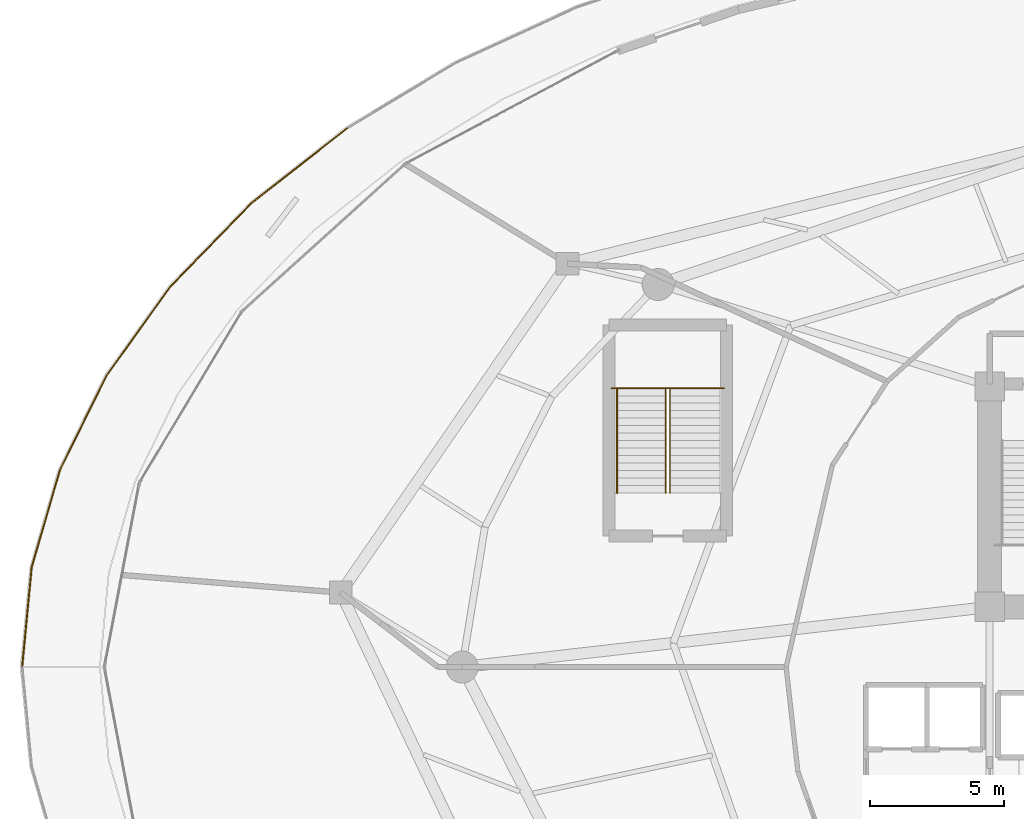
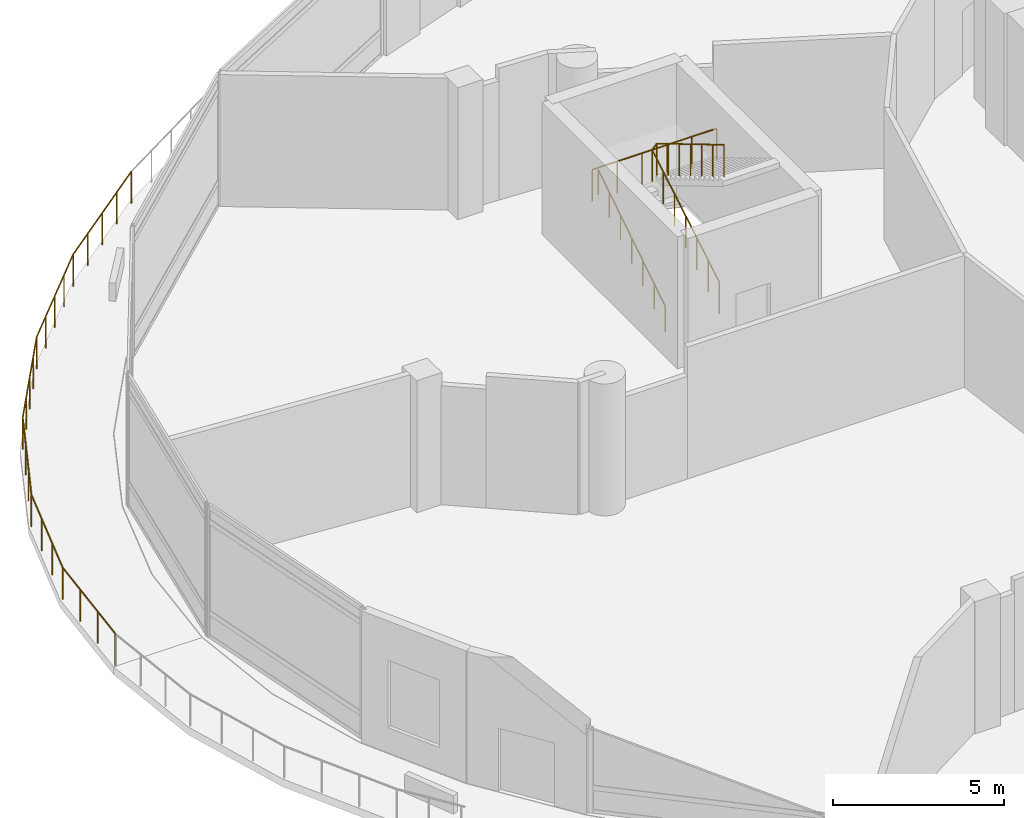
# One storey, part 33 of 37: 4 railings.
"""IFC4 building model written with IfcOpenShell, lengths in metres."""

from ifc_helpers import new_model, si_unit, direction, frame, origin, place, context, subcontext, project, spatial, polyline, outline, extrude, material, type_object, element, save


model = new_model("IFC4")

# Units and contexts
model_context = context("Model", 3, precision=1e-05, world=origin(), true_north=direction((0.0, 1.0)))
body_context = subcontext(model_context, "Body", "Model", "MODEL_VIEW")
ifc_project = project(units=[si_unit("LENGTHUNIT", "METRE"), si_unit("AREAUNIT", "SQUARE_METRE"), si_unit("VOLUMEUNIT", "CUBIC_METRE"), si_unit("PLANEANGLEUNIT", "RADIAN"), si_unit("MASSUNIT", "GRAM", prefix="KILO")], contexts=[model_context])

# Site, building, storey
site_placement = place(None, origin())
site = spatial("IfcSite", under=ifc_project, at=site_placement, CompositionType="ELEMENT")
building_placement = place(site_placement, origin())
building = spatial("IfcBuilding", under=site, at=building_placement, Name="Nuhasar Tower", CompositionType="ELEMENT")
storey_placement = place(building_placement, frame((0.0, 0.0, 6.0)))
storey = spatial("IfcBuildingStorey", under=building, at=storey_placement, Name="L01", CompositionType="ELEMENT", Elevation=6.0)

# Railings
ifc_material_1 = material(Name="Steel S355", Category="steel")
railing_type_1 = type_object("IfcRailingType", Name="RLG-STAIR-GUARD-1150", PredefinedType="GUARDRAIL", material=ifc_material_1)
railing_1_placement = place(storey_placement, frame((19.550048828125, 37.235107421875, 2.5)))
element("IfcRailing", 1, at=railing_1_placement, inside=storey, type_object=railing_type_1, Name="L01 Stair ST-04 Guardrail LND", PredefinedType="GUARDRAIL", context=body_context, shape_type="SweptSolid", body=[
    extrude(outline(polyline([(0.024169921875, 0.0), (0.01708984375, 0.01708984375), (0.0, 0.024169921875), (-0.01708984375, 0.01708984375), (-0.024169921875, 0.0), (-0.01708984375, -0.01708984375), (0.0, -0.024169921875), (0.01708984375, -0.01708984375), (0.024169921875, 0.0)])), frame((0.0, 0.0, 1.1259765625), z_axis=(1.0, 0.0, 0.0), x_axis=(0.0, 1.0, 0.0)), (0.0, 0.0, 1.0), 4.199951171875),
    extrude(outline(polyline([(0.02099609375, 0.0), (0.014892578125, 0.014892578125), (0.0, 0.02099609375), (-0.014892578125, 0.014892578125), (-0.02099609375, 0.0), (-0.014892578125, -0.014892578125), (0.0, -0.02099609375), (0.014892578125, -0.014892578125), (0.02099609375, 0.0)])), origin(), (0.0, 0.0, 1.0), 1.101806640625),
    extrude(outline(polyline([(0.02099609375, 0.0), (0.014892578125, 0.014892578125), (0.0, 0.02099609375), (-0.014892578125, 0.014892578125), (-0.02099609375, 0.0), (-0.014892578125, -0.014892578125), (0.0, -0.02099609375), (0.014892578125, -0.014892578125), (0.02099609375, 0.0)])), frame((0.840087890625, 0.0, 0.0)), (0.0, 0.0, 1.0), 1.101806640625),
    extrude(outline(polyline([(0.02099609375, 0.0), (0.014892578125, 0.014892578125), (0.0, 0.02099609375), (-0.014892578125, 0.014892578125), (-0.02099609375, 0.0), (-0.014892578125, -0.014892578125), (0.0, -0.02099609375), (0.014892578125, -0.014892578125), (0.02099609375, 0.0)])), frame((1.679931640625, 0.0, 0.0)), (0.0, 0.0, 1.0), 1.101806640625),
    extrude(outline(polyline([(0.02099609375, 0.0), (0.014892578125, 0.014892578125), (0.0, 0.02099609375), (-0.014892578125, 0.014892578125), (-0.02099609375, 0.0), (-0.014892578125, -0.014892578125), (0.0, -0.02099609375), (0.014892578125, -0.014892578125), (0.02099609375, 0.0)])), frame((2.52001953125, 0.0, 0.0)), (0.0, 0.0, 1.0), 1.101806640625),
    extrude(outline(polyline([(0.02099609375, 0.0), (0.014892578125, 0.014892578125), (0.0, 0.02099609375), (-0.014892578125, 0.014892578125), (-0.02099609375, 0.0), (-0.014892578125, -0.014892578125), (0.0, -0.02099609375), (0.014892578125, -0.014892578125), (0.02099609375, 0.0)])), frame((3.35986328125, 0.0, 0.0)), (0.0, 0.0, 1.0), 1.101806640625),
    extrude(outline(polyline([(0.02099609375, 0.0), (0.014892578125, 0.014892578125), (0.0, 0.02099609375), (-0.014892578125, 0.014892578125), (-0.02099609375, 0.0), (-0.014892578125, -0.014892578125), (0.0, -0.02099609375), (0.014892578125, -0.014892578125), (0.02099609375, 0.0)])), frame((4.199951171875, 0.0, 0.0)), (0.0, 0.0, 1.0), 1.101806640625),
])
railing_2_placement = place(storey_placement, frame((21.570068359375, 33.31494140625, 0.1669921875)))
element("IfcRailing", 2, at=railing_2_placement, inside=storey, type_object=railing_type_1, Name="L01 Stair ST-04 Guardrail SLT", PredefinedType="GUARDRAIL", context=body_context, shape_type="SweptSolid", body=[
    extrude(outline(polyline([(0.024169921875, 0.0), (0.01708984375, 0.01708984375), (0.0, 0.024169921875), (-0.01708984375, 0.01708984375), (-0.024169921875, 0.0), (-0.01708984375, -0.01708984375), (0.0, -0.024169921875), (0.01708984375, -0.01708984375), (0.024169921875, 0.0)])), frame((0.0, 0.0, 1.1259765625), z_axis=(0.0, 0.859333764799, 0.511415174467), x_axis=(-1.0, 0.0, 0.0)), (0.0, 0.0, 1.0), 4.561767578125),
    extrude(outline(polyline([(0.024169921875, 0.0), (0.01708984375, 0.01708984375), (0.0, 0.024169921875), (-0.01708984375, 0.01708984375), (-0.024169921875, 0.0), (-0.01708984375, -0.01708984375), (0.0, -0.024169921875), (0.01708984375, -0.01708984375), (0.024169921875, 0.0)])), frame((0.0, 3.920166015625, 3.458984375), z_axis=(0.691630103864, 0.0, 0.722251894722), x_axis=(0.0, 1.0, 0.0)), (0.0, 0.0, 1.0), 0.231201171875),
    extrude(outline(polyline([(0.024169921875, 0.0), (0.01708984375, 0.01708984375), (0.0, 0.024169921875), (-0.01708984375, 0.01708984375), (-0.024169921875, 0.0), (-0.01708984375, -0.01708984375), (0.0, -0.024169921875), (0.01708984375, -0.01708984375), (0.024169921875, 0.0)])), frame((0.159912109375, 3.920166015625, 3.6259765625), z_axis=(0.0, -0.859333764799, 0.511415174467), x_axis=(1.0, 0.0, 0.0)), (0.0, 0.0, 1.0), 4.561767578125),
    extrude(outline(polyline([(0.02099609375, 0.0), (0.014892578125, 0.014892578125), (0.0, 0.02099609375), (-0.014892578125, 0.014892578125), (-0.02099609375, 0.0), (-0.014892578125, -0.014892578125), (0.0, -0.02099609375), (0.014892578125, -0.014892578125), (0.02099609375, 0.0)])), origin(), (0.0, 0.0, 1.0), 1.101806640625),
    extrude(outline(polyline([(0.02099609375, 0.0), (0.014892578125, 0.014892578125), (0.0, 0.02099609375), (-0.014892578125, 0.014892578125), (-0.02099609375, 0.0), (-0.014892578125, -0.014892578125), (0.0, -0.02099609375), (0.014892578125, -0.014892578125), (0.02099609375, 0.0)])), frame((0.0, 0.6533203125, 0.388916015625)), (0.0, 0.0, 1.0), 1.101806640625),
    extrude(outline(polyline([(0.02099609375, 0.0), (0.014892578125, 0.014892578125), (0.0, 0.02099609375), (-0.014892578125, 0.014892578125), (-0.02099609375, 0.0), (-0.014892578125, -0.014892578125), (0.0, -0.02099609375), (0.014892578125, -0.014892578125), (0.02099609375, 0.0)])), frame((0.0, 1.306640625, 0.777587890625)), (0.0, 0.0, 1.0), 1.101806640625),
    extrude(outline(polyline([(0.02099609375, 0.0), (0.014892578125, 0.014892578125), (0.0, 0.02099609375), (-0.014892578125, 0.014892578125), (-0.02099609375, 0.0), (-0.014892578125, -0.014892578125), (0.0, -0.02099609375), (0.014892578125, -0.014892578125), (0.02099609375, 0.0)])), frame((0.0, 1.9599609375, 1.16650390625)), (0.0, 0.0, 1.0), 1.101806640625),
    extrude(outline(polyline([(0.02099609375, 0.0), (0.014892578125, 0.014892578125), (0.0, 0.02099609375), (-0.014892578125, 0.014892578125), (-0.02099609375, 0.0), (-0.014892578125, -0.014892578125), (0.0, -0.02099609375), (0.014892578125, -0.014892578125), (0.02099609375, 0.0)])), frame((0.0, 2.613525390625, 1.555419921875)), (0.0, 0.0, 1.0), 1.101806640625),
    extrude(outline(polyline([(0.02099609375, 0.0), (0.014892578125, 0.014892578125), (0.0, 0.02099609375), (-0.014892578125, 0.014892578125), (-0.02099609375, 0.0), (-0.014892578125, -0.014892578125), (0.0, -0.02099609375), (0.014892578125, -0.014892578125), (0.02099609375, 0.0)])), frame((0.0, 3.266845703125, 1.944091796875)), (0.0, 0.0, 1.0), 1.101806640625),
    extrude(outline(polyline([(0.02099609375, 0.0), (0.014892578125, 0.014892578125), (0.0, 0.02099609375), (-0.014892578125, 0.014892578125), (-0.02099609375, 0.0), (-0.014892578125, -0.014892578125), (0.0, -0.02099609375), (0.014892578125, -0.014892578125), (0.02099609375, 0.0)])), frame((0.0, 3.920166015625, 2.3330078125)), (0.0, 0.0, 1.0), 1.101806640625),
    extrude(outline(polyline([(0.02099609375, 0.0), (0.014892578125, 0.014892578125), (0.0, 0.02099609375), (-0.014892578125, 0.014892578125), (-0.02099609375, 0.0), (-0.014892578125, -0.014892578125), (0.0, -0.02099609375), (0.014892578125, -0.014892578125), (0.02099609375, 0.0)])), frame((0.159912109375, 3.920166015625, 2.5)), (0.0, 0.0, 1.0), 1.101806640625),
    extrude(outline(polyline([(0.02099609375, 0.0), (0.014892578125, 0.014892578125), (0.0, 0.02099609375), (-0.014892578125, 0.014892578125), (-0.02099609375, 0.0), (-0.014892578125, -0.014892578125), (0.0, -0.02099609375), (0.014892578125, -0.014892578125), (0.02099609375, 0.0)])), frame((0.159912109375, 3.266845703125, 2.888916015625)), (0.0, 0.0, 1.0), 1.101806640625),
    extrude(outline(polyline([(0.02099609375, 0.0), (0.014892578125, 0.014892578125), (0.0, 0.02099609375), (-0.014892578125, 0.014892578125), (-0.02099609375, 0.0), (-0.014892578125, -0.014892578125), (0.0, -0.02099609375), (0.014892578125, -0.014892578125), (0.02099609375, 0.0)])), frame((0.159912109375, 2.613525390625, 3.277587890625)), (0.0, 0.0, 1.0), 1.101806640625),
    extrude(outline(polyline([(0.02099609375, 0.0), (0.014892578125, 0.014892578125), (0.0, 0.02099609375), (-0.014892578125, 0.014892578125), (-0.02099609375, 0.0), (-0.014892578125, -0.014892578125), (0.0, -0.02099609375), (0.014892578125, -0.014892578125), (0.02099609375, 0.0)])), frame((0.159912109375, 1.9599609375, 3.66650390625)), (0.0, 0.0, 1.0), 1.101806640625),
    extrude(outline(polyline([(0.02099609375, 0.0), (0.014892578125, 0.014892578125), (0.0, 0.02099609375), (-0.014892578125, 0.014892578125), (-0.02099609375, 0.0), (-0.014892578125, -0.014892578125), (0.0, -0.02099609375), (0.014892578125, -0.014892578125), (0.02099609375, 0.0)])), frame((0.159912109375, 1.306640625, 4.055419921875)), (0.0, 0.0, 1.0), 1.101806640625),
    extrude(outline(polyline([(0.02099609375, 0.0), (0.014892578125, 0.014892578125), (0.0, 0.02099609375), (-0.014892578125, 0.014892578125), (-0.02099609375, 0.0), (-0.014892578125, -0.014892578125), (0.0, -0.02099609375), (0.014892578125, -0.014892578125), (0.02099609375, 0.0)])), frame((0.159912109375, 0.6533203125, 4.444091796875)), (0.0, 0.0, 1.0), 1.101806640625),
    extrude(outline(polyline([(0.02099609375, 0.0), (0.014892578125, 0.014892578125), (0.0, 0.02099609375), (-0.014892578125, 0.014892578125), (-0.02099609375, 0.0), (-0.014892578125, -0.014892578125), (0.0, -0.02099609375), (0.014892578125, -0.014892578125), (0.02099609375, 0.0)])), frame((0.159912109375, 0.0, 4.8330078125)), (0.0, 0.0, 1.0), 1.101806640625),
])
ifc_material_2 = material(Name="Stainless Steel 316L", Category="steel")
railing_type_2 = type_object("IfcRailingType", Name="RLG-STAIR-HAND-920", PredefinedType="HANDRAIL", material=ifc_material_2)
railing_3_placement = place(storey_placement, frame((19.75, 33.31494140625, 0.1669921875)))
element("IfcRailing", 3, at=railing_3_placement, inside=storey, type_object=railing_type_2, Name="L01 Stair ST-04 Handrail HND1", PredefinedType="HANDRAIL", context=body_context, shape_type="SweptSolid", body=[
    extrude(outline(polyline([(0.024169921875, 0.0), (0.01708984375, 0.01708984375), (0.0, 0.024169921875), (-0.01708984375, 0.01708984375), (-0.024169921875, 0.0), (-0.01708984375, -0.01708984375), (0.0, -0.024169921875), (0.01708984375, -0.01708984375), (0.024169921875, 0.0)])), frame((0.0, 0.0, 0.89599609375), z_axis=(0.0, 0.843140013903, 0.53769407376), x_axis=(-1.0, 0.0, 0.0)), (0.0, 0.0, 1.0), 4.6494140625),
    extrude(outline(polyline([(0.02099609375, 0.0), (0.014892578125, 0.014892578125), (0.0, 0.02099609375), (-0.014892578125, 0.014892578125), (-0.02099609375, 0.0), (-0.014892578125, -0.014892578125), (0.0, -0.02099609375), (0.014892578125, -0.014892578125), (0.02099609375, 0.0)])), origin(), (0.0, 0.0, 1.0), 0.871826171875),
    extrude(outline(polyline([(0.02099609375, 0.0), (0.014892578125, 0.014892578125), (0.0, 0.02099609375), (-0.014892578125, 0.014892578125), (-0.02099609375, 0.0), (-0.014892578125, -0.014892578125), (0.0, -0.02099609375), (0.014892578125, -0.014892578125), (0.02099609375, 0.0)])), frame((0.0, 0.6533203125, 0.416748046875)), (0.0, 0.0, 1.0), 0.871826171875),
    extrude(outline(polyline([(0.02099609375, 0.0), (0.014892578125, 0.014892578125), (0.0, 0.02099609375), (-0.014892578125, 0.014892578125), (-0.02099609375, 0.0), (-0.014892578125, -0.014892578125), (0.0, -0.02099609375), (0.014892578125, -0.014892578125), (0.02099609375, 0.0)])), frame((0.0, 1.306640625, 0.833251953125)), (0.0, 0.0, 1.0), 0.871826171875),
    extrude(outline(polyline([(0.02099609375, 0.0), (0.014892578125, 0.014892578125), (0.0, 0.02099609375), (-0.014892578125, 0.014892578125), (-0.02099609375, 0.0), (-0.014892578125, -0.014892578125), (0.0, -0.02099609375), (0.014892578125, -0.014892578125), (0.02099609375, 0.0)])), frame((0.0, 1.9599609375, 1.25)), (0.0, 0.0, 1.0), 0.871826171875),
    extrude(outline(polyline([(0.02099609375, 0.0), (0.014892578125, 0.014892578125), (0.0, 0.02099609375), (-0.014892578125, 0.014892578125), (-0.02099609375, 0.0), (-0.014892578125, -0.014892578125), (0.0, -0.02099609375), (0.014892578125, -0.014892578125), (0.02099609375, 0.0)])), frame((0.0, 2.613525390625, 1.666748046875)), (0.0, 0.0, 1.0), 0.871826171875),
    extrude(outline(polyline([(0.02099609375, 0.0), (0.014892578125, 0.014892578125), (0.0, 0.02099609375), (-0.014892578125, 0.014892578125), (-0.02099609375, 0.0), (-0.014892578125, -0.014892578125), (0.0, -0.02099609375), (0.014892578125, -0.014892578125), (0.02099609375, 0.0)])), frame((0.0, 3.266845703125, 2.083251953125)), (0.0, 0.0, 1.0), 0.871826171875),
    extrude(outline(polyline([(0.02099609375, 0.0), (0.014892578125, 0.014892578125), (0.0, 0.02099609375), (-0.014892578125, 0.014892578125), (-0.02099609375, 0.0), (-0.014892578125, -0.014892578125), (0.0, -0.02099609375), (0.014892578125, -0.014892578125), (0.02099609375, 0.0)])), frame((0.0, 3.920166015625, 2.5)), (0.0, 0.0, 1.0), 0.871826171875),
])
railing_type_3 = type_object("IfcRailingType", Name="RLG-TERR-1150", PredefinedType="BALUSTRADE", material=ifc_material_1)
railing_4_placement = place(storey_placement, frame((9.64111328125, 46.967041015625, 0.0)))
element("IfcRailing", 4, at=railing_4_placement, inside=storey, type_object=railing_type_3, Name="L01 Bustan Terrace Perimeter Balustrade 04", PredefinedType="BALUSTRADE", context=body_context, shape_type="SweptSolid", body=[
    extrude(outline(polyline([(0.024169921875, 0.0), (0.01708984375, 0.01708984375), (0.0, 0.024169921875), (-0.01708984375, 0.01708984375), (-0.024169921875, 0.0), (-0.01708984375, -0.01708984375), (0.0, -0.024169921875), (0.01708984375, -0.01708984375), (0.024169921875, 0.0)])), frame((0.0, 0.0, 1.1259765625), z_axis=(-0.787252370902, -0.616630930549, 0.0), x_axis=(0.616630930549, -0.787252370902, 0.0)), (0.0, 0.0, 1.0), 4.548828125),
    extrude(outline(polyline([(0.024169921875, 0.0), (0.01708984375, 0.01708984375), (0.0, 0.024169921875), (-0.01708984375, 0.01708984375), (-0.024169921875, 0.0), (-0.01708984375, -0.01708984375), (0.0, -0.024169921875), (0.01708984375, -0.01708984375), (0.024169921875, 0.0)])), frame((-3.5810546875, -2.804931640625, 1.1259765625), z_axis=(-0.697221787031, -0.716855480337, 0.0), x_axis=(0.716855480337, -0.697221787031, 0.0)), (0.0, 0.0, 1.0), 4.327392578125),
    extrude(outline(polyline([(0.024169921875, 0.0), (0.01708984375, 0.01708984375), (0.0, 0.024169921875), (-0.01708984375, 0.01708984375), (-0.024169921875, 0.0), (-0.01708984375, -0.01708984375), (0.0, -0.024169921875), (0.01708984375, -0.01708984375), (0.024169921875, 0.0)])), frame((-6.59814453125, -5.906982421875, 1.1259765625), z_axis=(-0.583148612261, -0.812365494108, 0.0), x_axis=(0.812365494108, -0.583148612261, 0.0)), (0.0, 0.0, 1.0), 4.11865234375),
    extrude(outline(polyline([(0.024169921875, 0.0), (0.01708984375, 0.01708984375), (0.0, 0.024169921875), (-0.01708984375, 0.01708984375), (-0.024169921875, 0.0), (-0.01708984375, -0.01708984375), (0.0, -0.024169921875), (0.01708984375, -0.01708984375), (0.024169921875, 0.0)])), frame((-9.0, -9.2529296875, 1.1259765625), z_axis=(-0.443144342733, -0.896450272744, 0.0), x_axis=(0.896450272744, -0.443144342733, 0.0)), (0.0, 0.0, 1.0), 3.940185546875),
    extrude(outline(polyline([(0.024169921875, 0.0), (0.01708984375, 0.01708984375), (0.0, 0.024169921875), (-0.01708984375, 0.01708984375), (-0.024169921875, 0.0), (-0.01708984375, -0.01708984375), (0.0, -0.024169921875), (0.01708984375, -0.01708984375), (0.024169921875, 0.0)])), frame((-10.74609375, -12.78515625, 1.1259765625), z_axis=(-0.278274374936, -0.960501625326, 0.0), x_axis=(0.960501625326, -0.278274374936, 0.0)), (0.0, 0.0, 1.0), 3.809326171875),
    extrude(outline(polyline([(0.024169921875, 0.0), (0.01708984375, 0.01708984375), (0.0, 0.024169921875), (-0.01708984375, 0.01708984375), (-0.024169921875, 0.0), (-0.01708984375, -0.01708984375), (0.0, -0.024169921875), (0.01708984375, -0.01708984375), (0.024169921875, 0.0)])), frame((-11.80615234375, -16.444091796875, 1.1259765625), z_axis=(-0.094896290493, -0.995487164182, 0.0), x_axis=(0.995487164182, -0.094896290493, 0.0)), (0.0, 0.0, 1.0), 3.699462890625),
    extrude(outline(polyline([(0.02099609375, 0.0), (0.014892578125, 0.014892578125), (0.0, 0.02099609375), (-0.014892578125, 0.014892578125), (-0.02099609375, 0.0), (-0.014892578125, -0.014892578125), (0.0, -0.02099609375), (0.014892578125, -0.014892578125), (0.02099609375, 0.0)])), origin(), (0.0, 0.0, 1.0), 1.101806640625),
    extrude(outline(polyline([(0.02099609375, 0.0), (0.014892578125, 0.014892578125), (0.0, 0.02099609375), (-0.014892578125, 0.014892578125), (-0.02099609375, 0.0), (-0.014892578125, -0.014892578125), (0.0, -0.02099609375), (0.014892578125, -0.014892578125), (0.02099609375, 0.0)])), frame((-0.895263671875, -0.701171875, 0.0)), (0.0, 0.0, 1.0), 1.101806640625),
    extrude(outline(polyline([(0.02099609375, 0.0), (0.014892578125, 0.014892578125), (0.0, 0.02099609375), (-0.014892578125, 0.014892578125), (-0.02099609375, 0.0), (-0.014892578125, -0.014892578125), (0.0, -0.02099609375), (0.014892578125, -0.014892578125), (0.02099609375, 0.0)])), frame((-1.79052734375, -1.40234375, 0.0)), (0.0, 0.0, 1.0), 1.101806640625),
    extrude(outline(polyline([(0.02099609375, 0.0), (0.014892578125, 0.014892578125), (0.0, 0.02099609375), (-0.014892578125, 0.014892578125), (-0.02099609375, 0.0), (-0.014892578125, -0.014892578125), (0.0, -0.02099609375), (0.014892578125, -0.014892578125), (0.02099609375, 0.0)])), frame((-2.685791015625, -2.103759765625, 0.0)), (0.0, 0.0, 1.0), 1.101806640625),
    extrude(outline(polyline([(0.02099609375, 0.0), (0.014892578125, 0.014892578125), (0.0, 0.02099609375), (-0.014892578125, 0.014892578125), (-0.02099609375, 0.0), (-0.014892578125, -0.014892578125), (0.0, -0.02099609375), (0.014892578125, -0.014892578125), (0.02099609375, 0.0)])), frame((-3.5810546875, -2.804931640625, 0.0)), (0.0, 0.0, 1.0), 1.101806640625),
    extrude(outline(polyline([(0.02099609375, 0.0), (0.014892578125, 0.014892578125), (0.0, 0.02099609375), (-0.014892578125, 0.014892578125), (-0.02099609375, 0.0), (-0.014892578125, -0.014892578125), (0.0, -0.02099609375), (0.014892578125, -0.014892578125), (0.02099609375, 0.0)])), frame((-4.33544921875, -3.58056640625, 0.0)), (0.0, 0.0, 1.0), 1.101806640625),
    extrude(outline(polyline([(0.02099609375, 0.0), (0.014892578125, 0.014892578125), (0.0, 0.02099609375), (-0.014892578125, 0.014892578125), (-0.02099609375, 0.0), (-0.014892578125, -0.014892578125), (0.0, -0.02099609375), (0.014892578125, -0.014892578125), (0.02099609375, 0.0)])), frame((-5.089599609375, -4.35595703125, 0.0)), (0.0, 0.0, 1.0), 1.101806640625),
    extrude(outline(polyline([(0.02099609375, 0.0), (0.014892578125, 0.014892578125), (0.0, 0.02099609375), (-0.014892578125, 0.014892578125), (-0.02099609375, 0.0), (-0.014892578125, -0.014892578125), (0.0, -0.02099609375), (0.014892578125, -0.014892578125), (0.02099609375, 0.0)])), frame((-5.84375, -5.13134765625, 0.0)), (0.0, 0.0, 1.0), 1.101806640625),
    extrude(outline(polyline([(0.02099609375, 0.0), (0.014892578125, 0.014892578125), (0.0, 0.02099609375), (-0.014892578125, 0.014892578125), (-0.02099609375, 0.0), (-0.014892578125, -0.014892578125), (0.0, -0.02099609375), (0.014892578125, -0.014892578125), (0.02099609375, 0.0)])), frame((-6.59814453125, -5.906982421875, 0.0)), (0.0, 0.0, 1.0), 1.101806640625),
    extrude(outline(polyline([(0.02099609375, 0.0), (0.014892578125, 0.014892578125), (0.0, 0.02099609375), (-0.014892578125, 0.014892578125), (-0.02099609375, 0.0), (-0.014892578125, -0.014892578125), (0.0, -0.02099609375), (0.014892578125, -0.014892578125), (0.02099609375, 0.0)])), frame((-7.19873046875, -6.743408203125, 0.0)), (0.0, 0.0, 1.0), 1.101806640625),
    extrude(outline(polyline([(0.02099609375, 0.0), (0.014892578125, 0.014892578125), (0.0, 0.02099609375), (-0.014892578125, 0.014892578125), (-0.02099609375, 0.0), (-0.014892578125, -0.014892578125), (0.0, -0.02099609375), (0.014892578125, -0.014892578125), (0.02099609375, 0.0)])), frame((-7.799072265625, -7.580078125, 0.0)), (0.0, 0.0, 1.0), 1.101806640625),
    extrude(outline(polyline([(0.02099609375, 0.0), (0.014892578125, 0.014892578125), (0.0, 0.02099609375), (-0.014892578125, 0.014892578125), (-0.02099609375, 0.0), (-0.014892578125, -0.014892578125), (0.0, -0.02099609375), (0.014892578125, -0.014892578125), (0.02099609375, 0.0)])), frame((-8.3994140625, -8.41650390625, 0.0)), (0.0, 0.0, 1.0), 1.101806640625),
    extrude(outline(polyline([(0.02099609375, 0.0), (0.014892578125, 0.014892578125), (0.0, 0.02099609375), (-0.014892578125, 0.014892578125), (-0.02099609375, 0.0), (-0.014892578125, -0.014892578125), (0.0, -0.02099609375), (0.014892578125, -0.014892578125), (0.02099609375, 0.0)])), frame((-9.0, -9.2529296875, 0.0)), (0.0, 0.0, 1.0), 1.101806640625),
    extrude(outline(polyline([(0.02099609375, 0.0), (0.014892578125, 0.014892578125), (0.0, 0.02099609375), (-0.014892578125, 0.014892578125), (-0.02099609375, 0.0), (-0.014892578125, -0.014892578125), (0.0, -0.02099609375), (0.014892578125, -0.014892578125), (0.02099609375, 0.0)])), frame((-9.58203125, -10.430419921875, 0.0)), (0.0, 0.0, 1.0), 1.101806640625),
    extrude(outline(polyline([(0.02099609375, 0.0), (0.014892578125, 0.014892578125), (0.0, 0.02099609375), (-0.014892578125, 0.014892578125), (-0.02099609375, 0.0), (-0.014892578125, -0.014892578125), (0.0, -0.02099609375), (0.014892578125, -0.014892578125), (0.02099609375, 0.0)])), frame((-10.1640625, -11.607666015625, 0.0)), (0.0, 0.0, 1.0), 1.101806640625),
    extrude(outline(polyline([(0.02099609375, 0.0), (0.014892578125, 0.014892578125), (0.0, 0.02099609375), (-0.014892578125, 0.014892578125), (-0.02099609375, 0.0), (-0.014892578125, -0.014892578125), (0.0, -0.02099609375), (0.014892578125, -0.014892578125), (0.02099609375, 0.0)])), frame((-10.74609375, -12.78515625, 0.0)), (0.0, 0.0, 1.0), 1.101806640625),
    extrude(outline(polyline([(0.02099609375, 0.0), (0.014892578125, 0.014892578125), (0.0, 0.02099609375), (-0.014892578125, 0.014892578125), (-0.02099609375, 0.0), (-0.014892578125, -0.014892578125), (0.0, -0.02099609375), (0.014892578125, -0.014892578125), (0.02099609375, 0.0)])), frame((-11.099365234375, -14.0048828125, 0.0)), (0.0, 0.0, 1.0), 1.101806640625),
    extrude(outline(polyline([(0.02099609375, 0.0), (0.014892578125, 0.014892578125), (0.0, 0.02099609375), (-0.014892578125, 0.014892578125), (-0.02099609375, 0.0), (-0.014892578125, -0.014892578125), (0.0, -0.02099609375), (0.014892578125, -0.014892578125), (0.02099609375, 0.0)])), frame((-11.452880859375, -15.224365234375, 0.0)), (0.0, 0.0, 1.0), 1.101806640625),
    extrude(outline(polyline([(0.02099609375, 0.0), (0.014892578125, 0.014892578125), (0.0, 0.02099609375), (-0.014892578125, 0.014892578125), (-0.02099609375, 0.0), (-0.014892578125, -0.014892578125), (0.0, -0.02099609375), (0.014892578125, -0.014892578125), (0.02099609375, 0.0)])), frame((-11.80615234375, -16.444091796875, 0.0)), (0.0, 0.0, 1.0), 1.101806640625),
    extrude(outline(polyline([(0.02099609375, 0.0), (0.014892578125, 0.014892578125), (0.0, 0.02099609375), (-0.014892578125, 0.014892578125), (-0.02099609375, 0.0), (-0.014892578125, -0.014892578125), (0.0, -0.02099609375), (0.014892578125, -0.014892578125), (0.02099609375, 0.0)])), frame((-11.923095703125, -17.671630859375, 0.0)), (0.0, 0.0, 1.0), 1.101806640625),
    extrude(outline(polyline([(0.02099609375, 0.0), (0.014892578125, 0.014892578125), (0.0, 0.02099609375), (-0.014892578125, 0.014892578125), (-0.02099609375, 0.0), (-0.014892578125, -0.014892578125), (0.0, -0.02099609375), (0.014892578125, -0.014892578125), (0.02099609375, 0.0)])), frame((-12.040283203125, -18.8994140625, 0.0)), (0.0, 0.0, 1.0), 1.101806640625),
    extrude(outline(polyline([(0.02099609375, 0.0), (0.014892578125, 0.014892578125), (0.0, 0.02099609375), (-0.014892578125, 0.014892578125), (-0.02099609375, 0.0), (-0.014892578125, -0.014892578125), (0.0, -0.02099609375), (0.014892578125, -0.014892578125), (0.02099609375, 0.0)])), frame((-12.1572265625, -20.126953125, 0.0)), (0.0, 0.0, 1.0), 1.101806640625),
])

save(model, "model.ifc")
